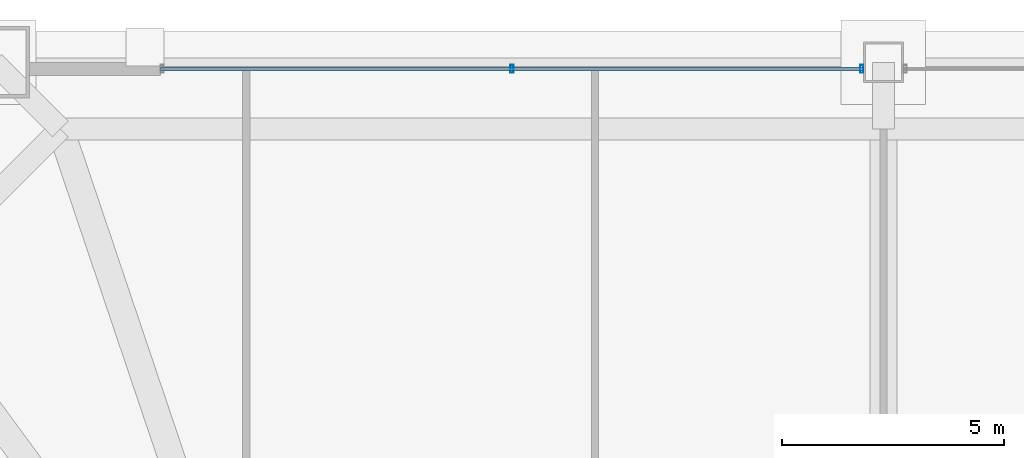
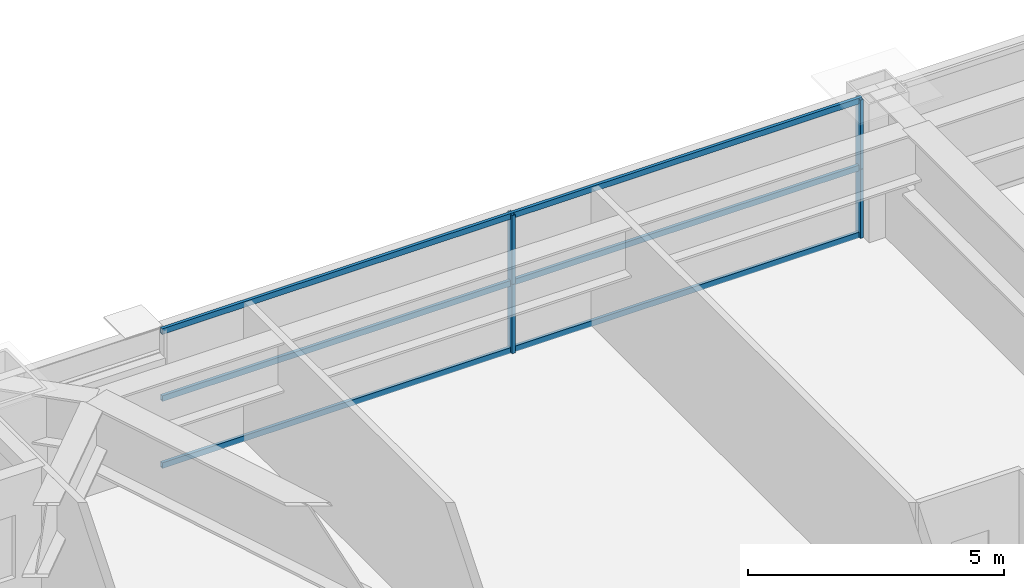
# One storey, part 31 of 45: 7 members, 1 element without a shape of its own.
"""IFC4 building model written with IfcOpenShell, lengths in metres."""

from ifc_helpers import new_model, si_unit, direction, frame, origin, origin_2d, place, context, subcontext, project, spatial, hollow_rectangle, extrude, source, transform, mapped, material, layer, layer_set, material_profile, profile_set, type_object, element, aggregate, save


model = new_model("IFC4")

# Units and contexts
model_context = context("Model", 3, precision=1e-05, world=origin(), true_north=direction((0.0, 1.0)))
body_context = subcontext(model_context, "Body", "Model", "MODEL_VIEW")
ifc_project = project(units=[si_unit("LENGTHUNIT", "METRE"), si_unit("AREAUNIT", "SQUARE_METRE"), si_unit("VOLUMEUNIT", "CUBIC_METRE"), si_unit("PLANEANGLEUNIT", "RADIAN"), si_unit("MASSUNIT", "GRAM", prefix="KILO"), si_unit("THERMODYNAMICTEMPERATUREUNIT", "KELVIN"), si_unit("POWERUNIT", "WATT")], contexts=[model_context])

# Site, building, storey
site_placement = place(None, origin())
site = spatial("IfcSite", under=ifc_project, at=site_placement, CompositionType="ELEMENT")
building_placement = place(site_placement, origin())
building = spatial("IfcBuilding", under=site, at=building_placement, Name="Yuzanri Waterfront Tower", CompositionType="ELEMENT")
storey_placement = place(building_placement, frame((0.0, 0.0, 163.199951171875)))
storey = spatial("IfcBuildingStorey", under=building, at=storey_placement, Name="L43", CompositionType="ELEMENT", Elevation=163.199951171875)

# Curtain wall, members
ifc_material_1 = material(Name="Anodized Architectural Bronze", Category="metal")
ifc_layer = layer(ifc_material_1, 0.159912109375)
ifc_layer_set = layer_set([ifc_layer], Name="Anodized Architectural Bronze")
curtain_wall_type = type_object("IfcCurtainWallType", Name="Anodized Bronze Hotel Upper-Tier Solar-Control Unitized Curtain Wall 7800", PredefinedType="NOTDEFINED", material=ifc_layer_set)
curtain_wall_placement = place(storey_placement, origin())
curtain_wall = element("IfcCurtainWall", 1, at=curtain_wall_placement, inside=storey, type_object=curtain_wall_type, Name="L43 Curtain Wall CW-L43-NL", PredefinedType="NOTDEFINED")
ifc_material_2 = material(Name="Anodized Architectural Bronze", Category="metal")
ifc_material_profile_1 = material_profile(ifc_material_2, hollow_rectangle(XDim=0.070068359375, YDim=0.135009765625, WallThickness=0.00341796875, at=origin_2d()), Name="CWT 70x135")
ifc_profile_set_1 = profile_set([ifc_material_profile_1], Name="Anodized Architectural Bronze")
member_type_1 = type_object("IfcMemberType", Name="Anodized Bronze Standard Curtain-Wall Transom 70x135", PredefinedType="USERDEFINED", material=ifc_profile_set_1)
shared_shape_1 = source(origin(), body_context, "Body", "SweptSolid", [
    extrude(hollow_rectangle(XDim=0.070068359375, YDim=0.135009765625, WallThickness=0.00341796875, at=origin_2d()), origin(), (0.0, 0.0, 1.0), 15.800048828125),
])
member_1_placement = place(storey_placement, frame((20.75, 49.25, 0.050048828125), z_axis=(1.0, 0.0, 0.0), x_axis=(0.0, 1.0, 0.0)))
member_1 = element("IfcMember", 2, at=member_1_placement, type_object=member_type_1, Name="CW-L43-NL Transom 1", ObjectType="TRANSOM", PredefinedType="USERDEFINED", context=body_context, shape_type="MappedRepresentation", body=[
    mapped(shared_shape_1, transform((0.0, 0.0, 0.0), scale=1.0)),
])
member_2_placement = place(storey_placement, frame((20.75, 49.25, 1.650146484375), z_axis=(1.0, 0.0, 0.0), x_axis=(0.0, 1.0, 0.0)))
member_2 = element("IfcMember", 3, at=member_2_placement, type_object=member_type_1, Name="CW-L43-NL Transom 2", ObjectType="TRANSOM", PredefinedType="USERDEFINED", context=body_context, shape_type="MappedRepresentation", body=[
    mapped(shared_shape_1, transform((0.0, 0.0, 0.0), scale=1.0)),
])
member_3_placement = place(storey_placement, frame((20.75, 49.25, 3.25), z_axis=(1.0, 0.0, 0.0), x_axis=(0.0, 1.0, 0.0)))
member_3 = element("IfcMember", 4, at=member_3_placement, type_object=member_type_1, Name="CW-L43-NL Transom 3", ObjectType="TRANSOM", PredefinedType="USERDEFINED", context=body_context, shape_type="MappedRepresentation", body=[
    mapped(shared_shape_1, transform((0.0, 0.0, 0.0), scale=1.0)),
])
ifc_material_3 = material(Name="Anodized Architectural Bronze", Category="metal")
ifc_material_profile_2 = material_profile(ifc_material_3, hollow_rectangle(XDim=0.070068359375, YDim=0.179931640625, WallThickness=0.00390625, at=origin_2d()), Name="CWM 70x180")
ifc_profile_set_2 = profile_set([ifc_material_profile_2], Name="Anodized Architectural Bronze")
member_type_2 = type_object("IfcMemberType", Name="Anodized Bronze Standard Curtain-Wall Mullion 70x180", PredefinedType="MULLION", material=ifc_profile_set_2)
shared_shape_2 = source(origin(), body_context, "Body", "SweptSolid", [
    extrude(hollow_rectangle(XDim=0.070068359375, YDim=0.179931640625, WallThickness=0.00390625, at=origin_2d()), origin(), (0.0, 0.0, 1.0), 1.64794921875),
])
member_4_placement = place(storey_placement, frame((28.64990234375, 49.25, 0.0), z_axis=(0.0, 0.0, 1.0), x_axis=(1.0, 0.0, 0.0)))
member_4 = element("IfcMember", 5, at=member_4_placement, type_object=member_type_2, Name="CW-L43-NL Lower Mullion 01", PredefinedType="MULLION", context=body_context, shape_type="MappedRepresentation", body=[
    mapped(shared_shape_2, transform((0.0, 0.0, 0.0), scale=1.0)),
])
member_5_placement = place(storey_placement, frame((28.64990234375, 49.25, 1.652099609375), z_axis=(0.0, 0.0, 1.0), x_axis=(1.0, 0.0, 0.0)))
member_5 = element("IfcMember", 6, at=member_5_placement, type_object=member_type_2, Name="CW-L43-NL Upper Mullion 01", PredefinedType="MULLION", context=body_context, shape_type="MappedRepresentation", body=[
    mapped(shared_shape_2, transform((0.0, 0.0, 0.0), scale=1.0)),
])
member_6_placement = place(storey_placement, frame((36.510009765625, 49.25, 0.0), z_axis=(0.0, 0.0, 1.0), x_axis=(1.0, 0.0, 0.0)))
member_6 = element("IfcMember", 7, at=member_6_placement, type_object=member_type_2, Name="CW-L43-NL Lower Mullion 02", PredefinedType="MULLION", context=body_context, shape_type="MappedRepresentation", body=[
    mapped(shared_shape_2, transform((0.0, 0.0, 0.0), scale=1.0)),
])
member_7_placement = place(storey_placement, frame((36.510009765625, 49.25, 1.652099609375), z_axis=(0.0, 0.0, 1.0), x_axis=(1.0, 0.0, 0.0)))
member_7 = element("IfcMember", 8, at=member_7_placement, type_object=member_type_2, Name="CW-L43-NL Upper Mullion 02", PredefinedType="MULLION", context=body_context, shape_type="MappedRepresentation", body=[
    mapped(shared_shape_2, transform((0.0, 0.0, 0.0), scale=1.0)),
])
aggregate(curtain_wall, [member_4, member_5, member_6, member_7, member_1, member_2, member_3])

save(model, "model.ifc")
